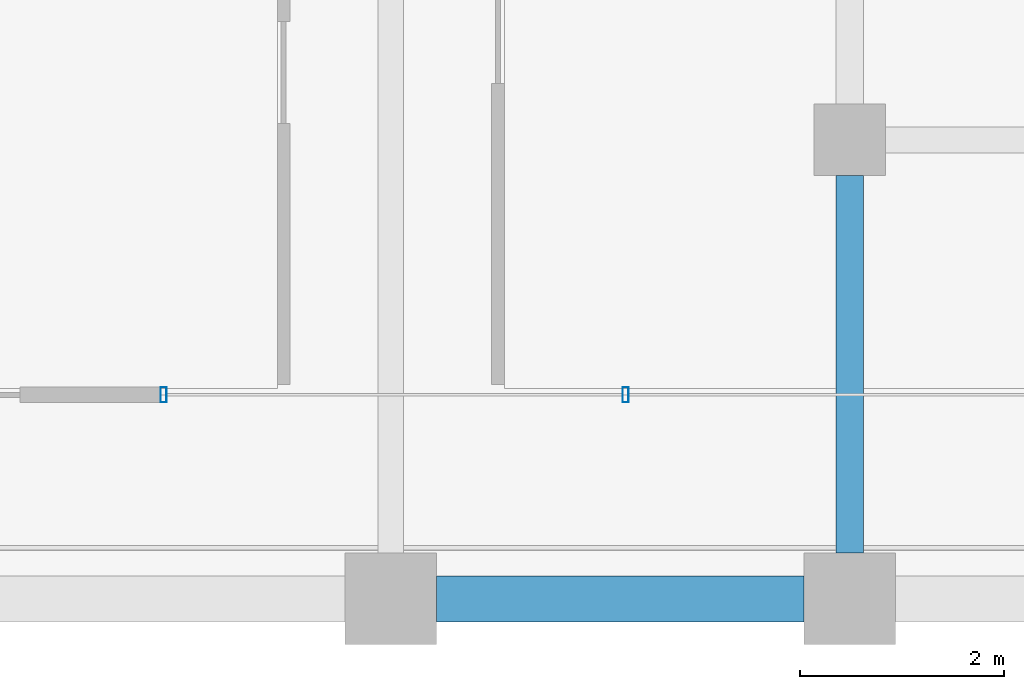
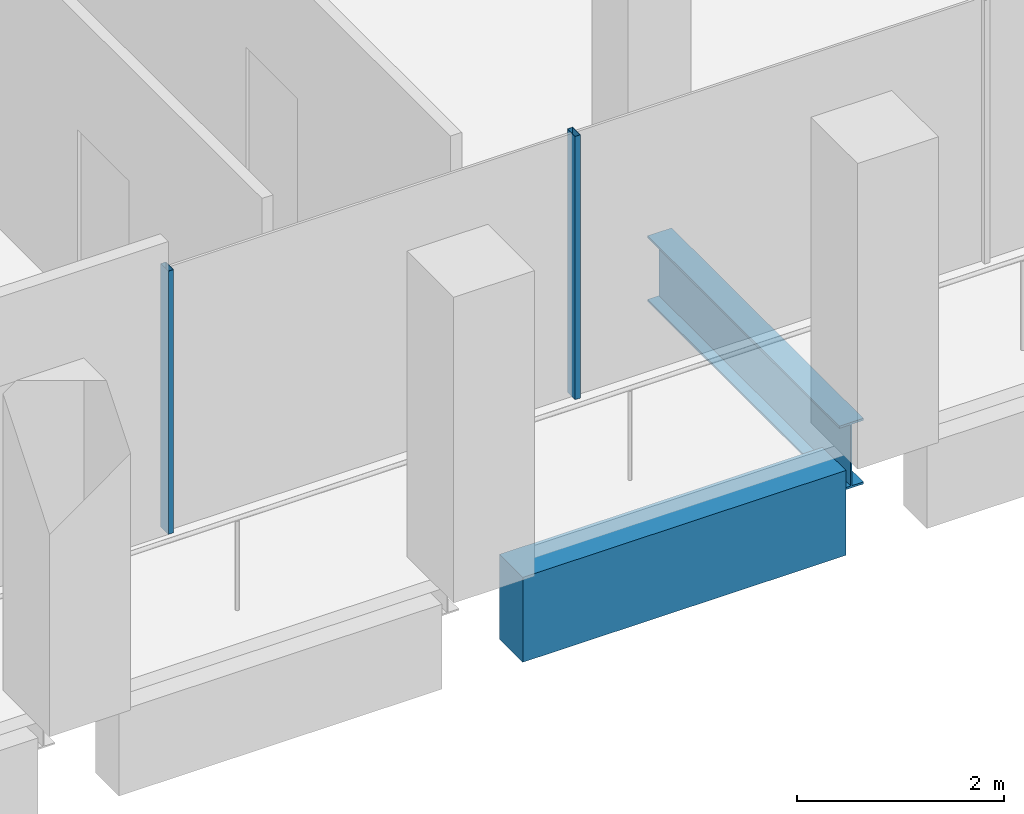
# One storey, part 9 of 40: 2 beams, 2 members, 1 element without a shape of its own.
"""IFC4 building model written with IfcOpenShell, lengths in metres."""

from ifc_helpers import new_model, si_unit, direction, frame, origin, origin_2d, place, context, subcontext, project, spatial, rectangle, hollow_rectangle, i_section, extrude, material, material_profile, profile_set, type_object, element, aggregate, save


model = new_model("IFC4")

# Units and contexts
model_context = context("Model", 3, precision=1e-05, world=origin(), true_north=direction((0.0, 1.0)))
body_context = subcontext(model_context, "Body", "Model", "MODEL_VIEW")
ifc_project = project(units=[si_unit("LENGTHUNIT", "METRE"), si_unit("AREAUNIT", "SQUARE_METRE"), si_unit("VOLUMEUNIT", "CUBIC_METRE"), si_unit("PLANEANGLEUNIT", "RADIAN"), si_unit("MASSUNIT", "GRAM", prefix="KILO")], contexts=[model_context])

# Site, building, storey
site_placement = place(None, origin())
site = spatial("IfcSite", under=ifc_project, at=site_placement, CompositionType="ELEMENT")
building_placement = place(site_placement, origin())
building = spatial("IfcBuilding", under=site, at=building_placement, Name="Altepetl Exchange Towers", CompositionType="ELEMENT")
storey_placement = place(building_placement, frame((0.0, 0.0, 183.39990234375)))
storey = spatial("IfcBuildingStorey", under=building, at=storey_placement, Name="L46", CompositionType="ELEMENT", Elevation=183.39990234375)

# Beam
ifc_material_1 = material(Name="Steel S355", Category="steel")
ifc_material_profile_1 = material_profile(ifc_material_1, i_section(OverallWidth=0.26806640625, OverallDepth=0.77392578125, WebThickness=0.015380859375, FlangeThickness=0.025390625, at=origin_2d()), Name="W30X132")
ifc_profile_set_1 = profile_set([ifc_material_profile_1], Name="Steel S355")
beam_type_1 = type_object("IfcBeamType", Name="Girder W30X132", PredefinedType="BEAM", material=ifc_profile_set_1)
beam_1_placement = place(storey_placement, frame((58.5, 31.14990234375, -0.536865234375), z_axis=(0.0, -1.0, 0.0), x_axis=(1.0, 0.0, 0.0)))
element("IfcBeam", 1, at=beam_1_placement, inside=storey, type_object=beam_type_1, Name="gd:A:L46:005", PredefinedType="BEAM", context=body_context, shape_type="SweptSolid", body=[
    extrude(i_section(OverallWidth=0.26806640625, OverallDepth=0.77392578125, WebThickness=0.015380859375, FlangeThickness=0.025390625, at=origin_2d()), origin(), (0.0, 0.0, 1.0), 3.699951171875),
])

# Curtain wall, members
ifc_material_2 = material(Name="Aluminium 6063-T6 glazing", Category="aluminium")
curtain_wall_type = type_object("IfcCurtainWallType", Name="Loggia glazing system", PredefinedType="NOTDEFINED", material=ifc_material_2)
curtain_wall_placement = place(storey_placement, origin())
curtain_wall = element("IfcCurtainWall", 2, at=curtain_wall_placement, inside=storey, type_object=curtain_wall_type, Name="CW1 run", PredefinedType="NOTDEFINED")
ifc_material_3 = material(Name="Aluminium 6063-T6", Category="aluminium")
ifc_material_profile_2 = material_profile(ifc_material_3, hollow_rectangle(XDim=0.06005859375, YDim=0.14990234375, WallThickness=0.0029296875, at=origin_2d()), Name="Mullion 60x150 aluminium")
ifc_profile_set_2 = profile_set([ifc_material_profile_2], Name="Aluminium 6063-T6")
member_type = type_object("IfcMemberType", Name="Mullion 60x150 aluminium", PredefinedType="MULLION", material=ifc_profile_set_2)
member_1_placement = place(storey_placement, frame((51.77294921875, 29.0, 0.0)))
member_1 = element("IfcMember", 3, at=member_1_placement, type_object=member_type, Name="MU1 mullion", PredefinedType="MULLION", context=body_context, shape_type="SweptSolid", body=[
    extrude(hollow_rectangle(XDim=0.06005859375, YDim=0.14990234375, WallThickness=0.0029296875, at=origin_2d()), origin(), (0.0, 0.0, 1.0), 3.10009765625),
])
member_2_placement = place(storey_placement, frame((56.303466796875, 29.0, 0.0)))
member_2 = element("IfcMember", 4, at=member_2_placement, type_object=member_type, Name="MU1 mullion", PredefinedType="MULLION", context=body_context, shape_type="SweptSolid", body=[
    extrude(hollow_rectangle(XDim=0.06005859375, YDim=0.14990234375, WallThickness=0.0029296875, at=origin_2d()), origin(), (0.0, 0.0, 1.0), 3.10009765625),
])
aggregate(curtain_wall, [member_1, member_2])

# Beam
ifc_material_4 = material(Name="Concrete C50/60 precast with cantera blanca facing", Category="concrete")
ifc_material_profile_3 = material_profile(ifc_material_4, rectangle(XDim=0.449951171875, YDim=1.0, at=origin_2d()), Name="450 x 1000")
ifc_profile_set_3 = profile_set([ifc_material_profile_3], Name="Concrete C50/60 precast with cantera blanca facing")
beam_type_2 = type_object("IfcBeamType", Name="Spandrel beam 450x1000 cantera blanca", PredefinedType="SPANDREL", material=ifc_profile_set_3)
beam_2_placement = place(storey_placement, frame((54.449951171875, 27.0, -0.64990234375), z_axis=(1.0, 0.0, 0.0), x_axis=(0.0, 1.0, 0.0)))
element("IfcBeam", 5, at=beam_2_placement, inside=storey, type_object=beam_type_2, Name="sp:A:L46:005", PredefinedType="SPANDREL", context=body_context, shape_type="SweptSolid", body=[
    extrude(rectangle(XDim=0.449951171875, YDim=1.0, at=origin_2d()), origin(), (0.0, 0.0, 1.0), 3.60009765625),
])

save(model, "model.ifc")
